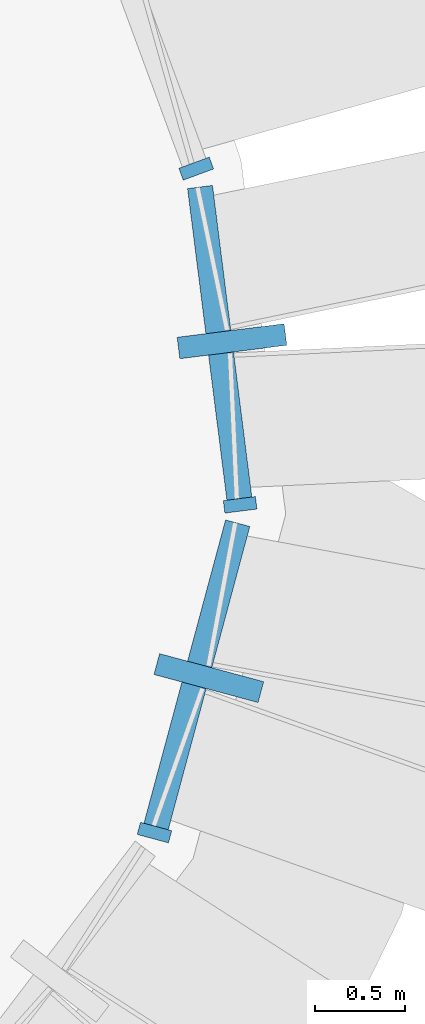
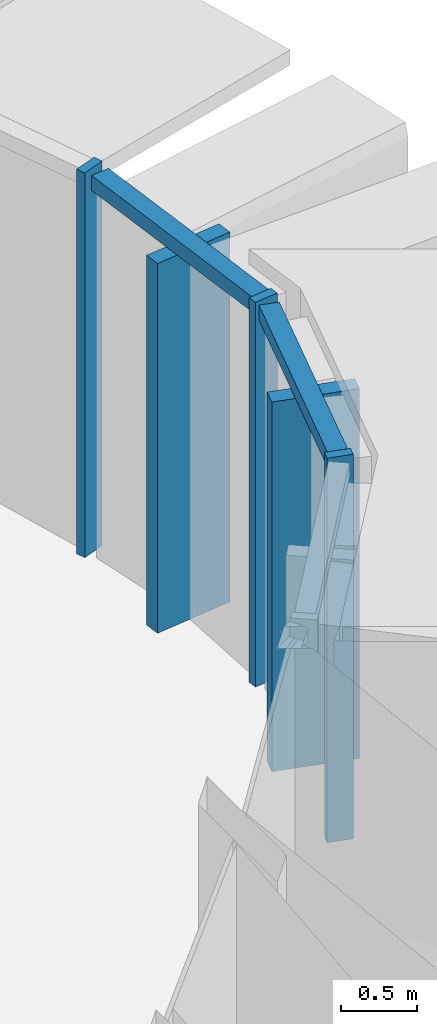
# One storey, part 8 of 22: 7 members, 3 elements without a shape of their own.
"""IFC4 building model written with IfcOpenShell, lengths in metres."""

import ifcopenshell
import ifcopenshell.guid

model = None  # the IFC model being written
_history = None  # IfcOwnerHistory: only IFC2X3 demands one
_inside = {}  # id of a spatial element -> (the spatial element, [elements in it])
_under = {}  # id of a project, library or spatial element -> (it, [spatial elements below it])
_declared = {}  # id of a project -> (the project, [libraries it declares])
_typed = {}  # id of a type object -> (the type object, [elements of that type])
_made_of = {}  # id of a material, layer set ... -> (it, [elements and type objects made of it])


def new_model(schema):
    """Start an empty IFC model of exactly this schema.

    Asked for "IFC4X3", IfcOpenShell would pick the latest addendum, in which some entities
    have other attributes; the version numbers below select the first issue.
    IFC2X3 requires an IfcOwnerHistory on every rooted entity: one is made here for all.
    """
    global model, _history
    if schema == "IFC4X3":
        model = ifcopenshell.file(schema_version=(4, 3, 0, 0))
    else:
        model = ifcopenshell.file(schema=schema)
    _inside.clear()
    _under.clear()
    _declared.clear()
    _typed.clear()
    _made_of.clear()
    _history = None
    if model.schema == "IFC2X3":
        org = make("IfcOrganization", Name="unknown")
        user = make(
            "IfcPersonAndOrganization",
            ThePerson=make("IfcPerson", FamilyName="unknown"),
            TheOrganization=org,
        )
        app = make(
            "IfcApplication",
            ApplicationDeveloper=org,
            Version="unknown",
            ApplicationFullName="unknown",
            ApplicationIdentifier="unknown",
        )
        _history = make(
            "IfcOwnerHistory",
            OwningUser=user,
            OwningApplication=app,
            ChangeAction="ADDED",
            CreationDate=0,
        )
    return model


def make(cls, **values):
    """One entity of the class cls with the attributes given. An attribute that is None is left unset."""
    return model.create_entity(
        cls, **{name: value for name, value in values.items() if value is not None}
    )


def rooted(cls, **values):
    """An entity with a GlobalId (a new one), such as an element, a storey or a relation."""
    return make(cls, GlobalId=ifcopenshell.guid.new(), OwnerHistory=_history, **values)


def si_unit(unit_type, name, prefix=None):
    """IfcSIUnit, for example si_unit("LENGTHUNIT", "METRE", prefix="MILLI")."""
    return make("IfcSIUnit", UnitType=unit_type, Prefix=prefix, Name=name)


def assignment(units):
    """IfcUnitAssignment: the units of a project."""
    return None if units is None else make("IfcUnitAssignment", Units=units)


def point(xyz):
    """IfcCartesianPoint."""
    return None if xyz is None else make("IfcCartesianPoint", Coordinates=xyz)


def direction(xyz):
    """IfcDirection."""
    return None if xyz is None else make("IfcDirection", DirectionRatios=xyz)


def frame(location, z_axis=None, x_axis=None):
    """IfcAxis2Placement3D, a coordinate frame: its origin and axes. An axis left out is left unset."""
    return make(
        "IfcAxis2Placement3D",
        Location=point(location),
        Axis=direction(z_axis),
        RefDirection=direction(x_axis),
    )


def frame_2d(location, x_axis=None):
    """IfcAxis2Placement2D, a coordinate frame in the plane: its origin and x axis."""
    return make(
        "IfcAxis2Placement2D", Location=point(location), RefDirection=direction(x_axis)
    )


def origin():
    """The frame at (0, 0, 0) with its axes left unset."""
    return frame((0.0, 0.0, 0.0))


def origin_2d():
    """The frame at (0, 0) in the plane with its x axis left unset."""
    return frame_2d((0.0, 0.0))


def place(relative_to, where):
    """IfcLocalPlacement: puts the frame where relative to a parent placement (None: the world)."""
    return make(
        "IfcLocalPlacement", PlacementRelTo=relative_to, RelativePlacement=where
    )


def context(
    kind, dimensions, precision=None, world=None, true_north=None, identifier=None
):
    """IfcGeometricRepresentationContext, for example the 3D "Model" context."""
    return make(
        "IfcGeometricRepresentationContext",
        ContextIdentifier=identifier,
        ContextType=kind,
        CoordinateSpaceDimension=dimensions,
        Precision=precision,
        WorldCoordinateSystem=world,
        TrueNorth=true_north,
    )


def subcontext(parent, identifier, kind, view, scale=None):
    """IfcGeometricRepresentationSubContext, for example "Body" below "Model"."""
    return make(
        "IfcGeometricRepresentationSubContext",
        ContextIdentifier=identifier,
        ContextType=kind,
        ParentContext=parent,
        TargetScale=scale,
        TargetView=view,
    )


def project(units=None, contexts=None):
    """IfcProject with its units and contexts."""
    return rooted(
        "IfcProject",
        Name="project",
        RepresentationContexts=contexts,
        UnitsInContext=assignment(units),
    )


def spatial(cls, under=None, at=None, **own):
    """A site, building, storey or space (cls), placed at a placement, below another one or the project."""
    s = rooted(cls, ObjectPlacement=at, **own)
    if under is not None:
        _under.setdefault(under.id(), (under, []))[1].append(s)
    return s


def profile(cls, at=None, kind="AREA", **sizes):
    """A parametric profile (cls). Its sizes go by their IFC names, for example OverallWidth=200.0."""
    return make(cls, ProfileType=kind, Position=at, **sizes)


def rectangle(**sizes):
    """IfcRectangleProfileDef."""
    return profile("IfcRectangleProfileDef", **sizes)


def extrude(swept, where, along, depth):
    """IfcExtrudedAreaSolid: the profile swept, set in the frame where, extruded along a direction by depth."""
    return make(
        "IfcExtrudedAreaSolid",
        SweptArea=swept,
        Position=where,
        ExtrudedDirection=direction(along),
        Depth=depth,
    )


def shape(context_of_items, identifier, shape_type, items):
    """IfcShapeRepresentation: the items that make up one representation, for example the "Body"."""
    return make(
        "IfcShapeRepresentation",
        ContextOfItems=context_of_items,
        RepresentationIdentifier=identifier,
        RepresentationType=shape_type,
        Items=items,
    )


def material(Name=None, Category=None):
    """IfcMaterial."""
    return make("IfcMaterial", Name=Name, Category=Category)


def layer(
    of_material, thickness, ventilated=None, Name=None, Category=None, Priority=None
):
    """IfcMaterialLayer: one layer of a wall or slab, of a material (None: an air gap)."""
    return make(
        "IfcMaterialLayer",
        Material=of_material,
        LayerThickness=thickness,
        IsVentilated=ventilated,
        Name=Name,
        Category=Category,
        Priority=Priority,
    )


def layer_set(layers, Name=None):
    """IfcMaterialLayerSet."""
    return make("IfcMaterialLayerSet", MaterialLayers=layers, LayerSetName=Name)


def material_profile(
    of_material, cross_section, Name=None, Category=None, Priority=None
):
    """IfcMaterialProfile: a cross section and its material."""
    return make(
        "IfcMaterialProfile",
        Name=Name,
        Material=of_material,
        Profile=cross_section,
        Priority=Priority,
        Category=Category,
    )


def profile_set(profiles, Name=None, composite=None):
    """IfcMaterialProfileSet."""
    return make(
        "IfcMaterialProfileSet",
        Name=Name,
        MaterialProfiles=profiles,
        CompositeProfile=composite,
    )


def made_of(thing, what):
    """Note that an element or type object is made of a material, layer set ...; save() writes the relation."""
    if what is not None:
        _made_of.setdefault(what.id(), (what, []))[1].append(thing)
    return thing


def type_object(cls, material=None, **own):
    """A type object (cls), such as IfcWallType, which elements share."""
    return made_of(rooted(cls, **own), material)


def element(
    cls,
    number,
    at=None,
    inside=None,
    cuts=None,
    type_object=None,
    material=None,
    context=None,
    identifier="Body",
    shape_type=None,
    held_by="IfcProductDefinitionShape",
    body=None,
    shapes=None,
    **own,
):
    """One element of the class cls, such as IfcWall. Its Tag is "e" and its number.

    at: its placement. inside: the storey or other place that contains it. cuts: it is an
    opening in that element (IfcRelVoidsElement). A single representation is given by context,
    identifier, shape_type and body (its items); several are given by shapes. held_by: the class
    of the entity that holds the representations. save() writes the other relations.
    """
    e = rooted(cls, Tag="e%d" % number, ObjectPlacement=at, **own)
    if body is not None:
        shapes = [shape(context, identifier, shape_type, body)]
    if shapes is not None:
        e.Representation = make(held_by, Representations=shapes)
    if inside is not None:
        _inside.setdefault(inside.id(), (inside, []))[1].append(e)
    if cuts is not None:
        rooted(
            "IfcRelVoidsElement", RelatingBuildingElement=cuts, RelatedOpeningElement=e
        )
    if type_object is not None:
        _typed.setdefault(type_object.id(), (type_object, []))[1].append(e)
    return made_of(e, material)


def aggregate(whole, parts):
    """IfcRelAggregates: a whole, such as a stair, and the parts it consists of."""
    return rooted("IfcRelAggregates", RelatingObject=whole, RelatedObjects=parts)


def save(model, path):
    """Write the relations noted so far, then the file.

    IfcRelAggregates (storeys below a building ...), IfcRelContainedInSpatialStructure (elements
    in a storey), IfcRelDefinesByType, IfcRelAssociatesMaterial and IfcRelDeclares: one each for
    every whole, place, type object, material and project.
    """
    for whole, parts in _under.values():
        aggregate(whole, parts)
    for where, things in _inside.values():
        rooted(
            "IfcRelContainedInSpatialStructure",
            RelatedElements=things,
            RelatingStructure=where,
        )
    for kind, things in _typed.values():
        rooted("IfcRelDefinesByType", RelatedObjects=things, RelatingType=kind)
    for what, things in _made_of.values():
        rooted("IfcRelAssociatesMaterial", RelatedObjects=things, RelatingMaterial=what)
    for by, libraries in _declared.values():
        rooted("IfcRelDeclares", RelatingContext=by, RelatedDefinitions=libraries)
    model.write(path)


model = new_model("IFC4")

# Units and contexts
model_context = context("Model", 3, precision=1e-05, world=origin(), true_north=direction((0.0, 1.0)))
body_context = subcontext(model_context, "Body", "Model", "MODEL_VIEW")
ifc_project = project(units=[si_unit("LENGTHUNIT", "METRE"), si_unit("AREAUNIT", "SQUARE_METRE"), si_unit("VOLUMEUNIT", "CUBIC_METRE"), si_unit("PLANEANGLEUNIT", "RADIAN"), si_unit("MASSUNIT", "GRAM", prefix="KILO")], contexts=[model_context])

# Site, building, storey
site_placement = place(None, origin())
site = spatial("IfcSite", under=ifc_project, at=site_placement, CompositionType="ELEMENT")
building_placement = place(site_placement, origin())
building = spatial("IfcBuilding", under=site, at=building_placement, Name="Sierra Prisma Convention Tower", CompositionType="ELEMENT")
storey_placement = place(building_placement, frame((0.0, 0.0, 62.800048828125)))
storey = spatial("IfcBuildingStorey", under=building, at=storey_placement, Name="L11", CompositionType="ELEMENT", Elevation=62.800048828125)

# Curtain wall, member
ifc_material_1 = material(Name="Aluminium and glass curtain wall", Category="aluminium")
ifc_layer = layer(ifc_material_1, 0.179931640625)
ifc_layer_set = layer_set([ifc_layer], Name="CW-2 Faceted crystal curtain wall")
curtain_wall_type = type_object("IfcCurtainWallType", Name="CW-2 Faceted crystal curtain wall", PredefinedType="NOTDEFINED", material=ifc_layer_set)
curtain_wall_1_placement = place(storey_placement, origin())
curtain_wall_1 = element("IfcCurtainWall", 1, at=curtain_wall_1_placement, inside=storey, type_object=curtain_wall_type, Name="CW-2 SE3 L11", PredefinedType="NOTDEFINED")
ifc_material_2 = material(Name="Aluminium 6063-T6 bronze anodised", Category="aluminium")
ifc_material_profile_1 = material_profile(ifc_material_2, rectangle(XDim=0.1201171875, YDim=0.60009765625, at=origin_2d()), Name="ALU RIDGE BLADE 120x600")
ifc_profile_set_1 = profile_set([ifc_material_profile_1], Name="Aluminium 6063-T6 bronze anodised")
member_type_1 = type_object("IfcMemberType", Name="CW hip bronze", PredefinedType="MULLION", material=ifc_profile_set_1)
member_1_placement = place(storey_placement, frame((31.7353515625, -17.4609375, 0.0), z_axis=(0.0, 0.0, 1.0), x_axis=(0.259788197767, 0.965665621373, 0.0)))
member_1 = element("IfcMember", 2, at=member_1_placement, type_object=member_type_1, Name="CW-2 ridge SE3.1", PredefinedType="MULLION", context=body_context, shape_type="SweptSolid", body=[
    extrude(rectangle(XDim=0.1201171875, YDim=0.60009765625, at=origin_2d()), origin(), (0.0, 0.0, 1.0), 2.97998046875),
])

curtain_wall_2_placement = place(storey_placement, origin())
curtain_wall_2 = element("IfcCurtainWall", 3, at=curtain_wall_2_placement, inside=storey, type_object=curtain_wall_type, Name="CW-2 SE4 L11", PredefinedType="NOTDEFINED")
member_2_placement = place(storey_placement, frame((31.864013671875, -15.585693359375, 0.0), z_axis=(0.0, 0.0, 1.0), x_axis=(-0.125311931697, 0.992117392134, 0.0)))
member_2 = element("IfcMember", 4, at=member_2_placement, type_object=member_type_1, Name="CW-2 ridge SE4.1", PredefinedType="MULLION", context=body_context, shape_type="SweptSolid", body=[
    extrude(rectangle(XDim=0.1201171875, YDim=0.60009765625, at=origin_2d()), origin(), (0.0, 0.0, 1.0), 2.97998046875),
])

# Member
ifc_material_3 = material(Name="Aluminium 6063-T6 bronze anodised", Category="aluminium")
ifc_material_profile_2 = material_profile(ifc_material_3, rectangle(XDim=0.179931640625, YDim=0.070068359375, at=origin_2d()), Name="ALU MULLION 70x180")
ifc_profile_set_2 = profile_set([ifc_material_profile_2], Name="Aluminium 6063-T6 bronze anodised")
member_type_2 = type_object("IfcMemberType", Name="CW mullion bronze", PredefinedType="MULLION", material=ifc_profile_set_2)
member_3_placement = place(storey_placement, frame((31.4326171875, -18.321044921875, 0.0), z_axis=(0.0, 0.0, 1.0), x_axis=(-0.965665621373, 0.259788197767, 0.0)))
member_3 = element("IfcMember", 5, at=member_3_placement, type_object=member_type_2, Name="CW-1 mullion SE3.1", PredefinedType="MULLION", context=body_context, shape_type="SweptSolid", body=[
    extrude(rectangle(XDim=0.179931640625, YDim=0.070068359375, at=origin_2d()), origin(), (0.0, 0.0, 1.0), 3.099853515625),
])

member_4_placement = place(storey_placement, frame((31.90966796875, -16.496337890625, 0.0), z_axis=(0.0, 0.0, 1.0), x_axis=(-0.992117392134, -0.125311931697, 0.0)))
member_4 = element("IfcMember", 6, at=member_4_placement, type_object=member_type_2, Name="CW-1 mullion SE4.1", PredefinedType="MULLION", context=body_context, shape_type="SweptSolid", body=[
    extrude(rectangle(XDim=0.179931640625, YDim=0.070068359375, at=origin_2d()), origin(), (0.0, 0.0, 1.0), 3.099853515625),
])

# Curtain wall, member
curtain_wall_3_placement = place(storey_placement, origin())
curtain_wall_3 = element("IfcCurtainWall", 7, at=curtain_wall_3_placement, inside=storey, type_object=curtain_wall_type, Name="CW-2 NE1 L11", PredefinedType="NOTDEFINED")
member_5_placement = place(storey_placement, frame((31.665283203125, -14.62451171875, 0.0), z_axis=(0.0, 0.0, 1.0), x_axis=(-0.938218818042, -0.346042554423, 0.0)))
member_5 = element("IfcMember", 8, at=member_5_placement, type_object=member_type_2, Name="CW-1 mullion NE1.1", PredefinedType="MULLION", context=body_context, shape_type="SweptSolid", body=[
    extrude(rectangle(XDim=0.179931640625, YDim=0.070068359375, at=origin_2d()), origin(), (0.0, 0.0, 1.0), 3.099853515625),
])
aggregate(curtain_wall_3, [member_5])

# Member
ifc_material_4 = material(Name="Aluminium 6063-T6 bronze anodised", Category="aluminium")
ifc_material_profile_3 = material_profile(ifc_material_4, rectangle(XDim=0.139892578125, YDim=0.1201171875, at=origin_2d()), Name="ALU TRANSOM 120x140")
ifc_profile_set_3 = profile_set([ifc_material_profile_3], Name="Aluminium 6063-T6 bronze anodised")
member_type_3 = type_object("IfcMemberType", Name="CW transom bronze", PredefinedType="USERDEFINED", material=ifc_profile_set_3)
member_6_placement = place(storey_placement, frame((31.441650390625, -18.287353515625, 3.0400390625), z_axis=(0.259808252217, 0.965660226001, 0.0), x_axis=(-0.965660226001, 0.259808252217, 0.0)))
member_6 = element("IfcMember", 9, at=member_6_placement, type_object=member_type_3, Name="CW-1 transom SE3.1", ObjectType="TRANSOM", PredefinedType="USERDEFINED", context=body_context, shape_type="SweptSolid", body=[
    extrude(rectangle(XDim=0.139892578125, YDim=0.1201171875, at=origin_2d()), origin(), (0.0, 0.0, 1.0), 1.748779296875),
])

aggregate(curtain_wall_1, [member_3, member_6, member_1])

member_7_placement = place(storey_placement, frame((31.9052734375, -16.461669921875, 3.0400390625), z_axis=(-0.125237507778, 0.992126789602, 0.0), x_axis=(-0.992126789602, -0.125237507778, 0.0)))
member_7 = element("IfcMember", 10, at=member_7_placement, type_object=member_type_3, Name="CW-1 transom SE4.1", ObjectType="TRANSOM", PredefinedType="USERDEFINED", context=body_context, shape_type="SweptSolid", body=[
    extrude(rectangle(XDim=0.139892578125, YDim=0.1201171875, at=origin_2d()), origin(), (0.0, 0.0, 1.0), 1.74853515625),
])

aggregate(curtain_wall_2, [member_4, member_7, member_2])

save(model, "model.ifc")
